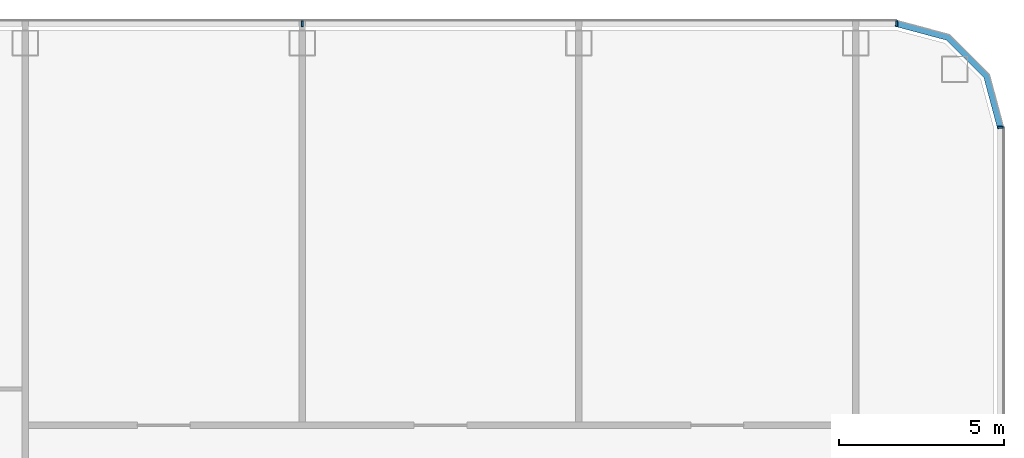
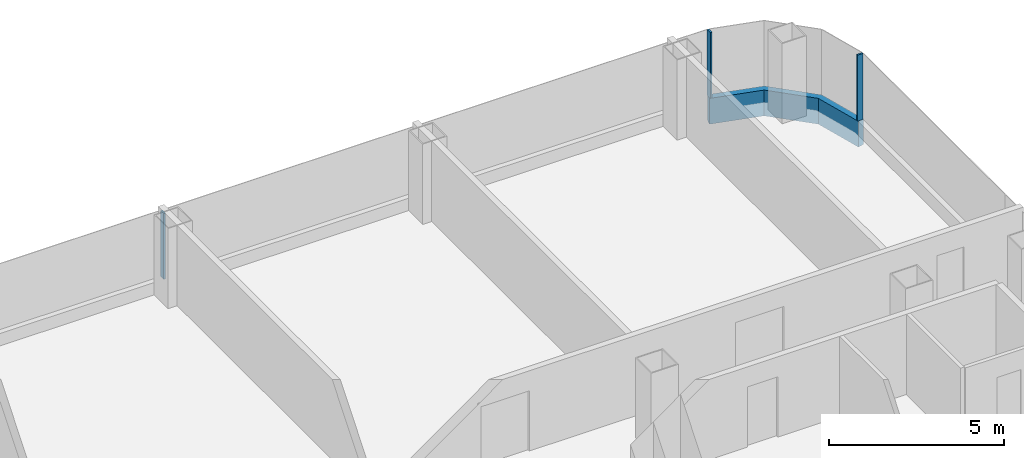
# One storey, part 13 of 29: 4 members, 3 elements without a shape of their own.
"""IFC4 building model written with IfcOpenShell, lengths in metres."""

import ifcopenshell
import ifcopenshell.guid

model = None  # the IFC model being written
_history = None  # IfcOwnerHistory: only IFC2X3 demands one
_inside = {}  # id of a spatial element -> (the spatial element, [elements in it])
_under = {}  # id of a project, library or spatial element -> (it, [spatial elements below it])
_declared = {}  # id of a project -> (the project, [libraries it declares])
_typed = {}  # id of a type object -> (the type object, [elements of that type])
_made_of = {}  # id of a material, layer set ... -> (it, [elements and type objects made of it])


def new_model(schema):
    """Start an empty IFC model of exactly this schema.

    Asked for "IFC4X3", IfcOpenShell would pick the latest addendum, in which some entities
    have other attributes; the version numbers below select the first issue.
    IFC2X3 requires an IfcOwnerHistory on every rooted entity: one is made here for all.
    """
    global model, _history
    if schema == "IFC4X3":
        model = ifcopenshell.file(schema_version=(4, 3, 0, 0))
    else:
        model = ifcopenshell.file(schema=schema)
    _inside.clear()
    _under.clear()
    _declared.clear()
    _typed.clear()
    _made_of.clear()
    _history = None
    if model.schema == "IFC2X3":
        org = make("IfcOrganization", Name="unknown")
        user = make(
            "IfcPersonAndOrganization",
            ThePerson=make("IfcPerson", FamilyName="unknown"),
            TheOrganization=org,
        )
        app = make(
            "IfcApplication",
            ApplicationDeveloper=org,
            Version="unknown",
            ApplicationFullName="unknown",
            ApplicationIdentifier="unknown",
        )
        _history = make(
            "IfcOwnerHistory",
            OwningUser=user,
            OwningApplication=app,
            ChangeAction="ADDED",
            CreationDate=0,
        )
    return model


def make(cls, **values):
    """One entity of the class cls with the attributes given. An attribute that is None is left unset."""
    return model.create_entity(
        cls, **{name: value for name, value in values.items() if value is not None}
    )


def rooted(cls, **values):
    """An entity with a GlobalId (a new one), such as an element, a storey or a relation."""
    return make(cls, GlobalId=ifcopenshell.guid.new(), OwnerHistory=_history, **values)


def si_unit(unit_type, name, prefix=None):
    """IfcSIUnit, for example si_unit("LENGTHUNIT", "METRE", prefix="MILLI")."""
    return make("IfcSIUnit", UnitType=unit_type, Prefix=prefix, Name=name)


def assignment(units):
    """IfcUnitAssignment: the units of a project."""
    return None if units is None else make("IfcUnitAssignment", Units=units)


def point(xyz):
    """IfcCartesianPoint."""
    return None if xyz is None else make("IfcCartesianPoint", Coordinates=xyz)


def direction(xyz):
    """IfcDirection."""
    return None if xyz is None else make("IfcDirection", DirectionRatios=xyz)


def frame(location, z_axis=None, x_axis=None):
    """IfcAxis2Placement3D, a coordinate frame: its origin and axes. An axis left out is left unset."""
    return make(
        "IfcAxis2Placement3D",
        Location=point(location),
        Axis=direction(z_axis),
        RefDirection=direction(x_axis),
    )


def frame_2d(location, x_axis=None):
    """IfcAxis2Placement2D, a coordinate frame in the plane: its origin and x axis."""
    return make(
        "IfcAxis2Placement2D", Location=point(location), RefDirection=direction(x_axis)
    )


def origin():
    """The frame at (0, 0, 0) with its axes left unset."""
    return frame((0.0, 0.0, 0.0))


def origin_2d():
    """The frame at (0, 0) in the plane with its x axis left unset."""
    return frame_2d((0.0, 0.0))


def place(relative_to, where):
    """IfcLocalPlacement: puts the frame where relative to a parent placement (None: the world)."""
    return make(
        "IfcLocalPlacement", PlacementRelTo=relative_to, RelativePlacement=where
    )


def context(
    kind, dimensions, precision=None, world=None, true_north=None, identifier=None
):
    """IfcGeometricRepresentationContext, for example the 3D "Model" context."""
    return make(
        "IfcGeometricRepresentationContext",
        ContextIdentifier=identifier,
        ContextType=kind,
        CoordinateSpaceDimension=dimensions,
        Precision=precision,
        WorldCoordinateSystem=world,
        TrueNorth=true_north,
    )


def subcontext(parent, identifier, kind, view, scale=None):
    """IfcGeometricRepresentationSubContext, for example "Body" below "Model"."""
    return make(
        "IfcGeometricRepresentationSubContext",
        ContextIdentifier=identifier,
        ContextType=kind,
        ParentContext=parent,
        TargetScale=scale,
        TargetView=view,
    )


def project(units=None, contexts=None):
    """IfcProject with its units and contexts."""
    return rooted(
        "IfcProject",
        Name="project",
        RepresentationContexts=contexts,
        UnitsInContext=assignment(units),
    )


def spatial(cls, under=None, at=None, **own):
    """A site, building, storey or space (cls), placed at a placement, below another one or the project."""
    s = rooted(cls, ObjectPlacement=at, **own)
    if under is not None:
        _under.setdefault(under.id(), (under, []))[1].append(s)
    return s


def polyline(points):
    """IfcPolyline through the points."""
    return make("IfcPolyline", Points=[point(p) for p in points])


def profile(cls, at=None, kind="AREA", **sizes):
    """A parametric profile (cls). Its sizes go by their IFC names, for example OverallWidth=200.0."""
    return make(cls, ProfileType=kind, Position=at, **sizes)


def rectangle(**sizes):
    """IfcRectangleProfileDef."""
    return profile("IfcRectangleProfileDef", **sizes)


def outline(outer, holes=None, kind="AREA"):
    """IfcArbitraryClosedProfileDef: a profile drawn as a closed curve; with holes, ...WithVoids."""
    if holes is None:
        return make("IfcArbitraryClosedProfileDef", ProfileType=kind, OuterCurve=outer)
    return make(
        "IfcArbitraryProfileDefWithVoids",
        ProfileType=kind,
        OuterCurve=outer,
        InnerCurves=holes,
    )


def extrude(swept, where, along, depth):
    """IfcExtrudedAreaSolid: the profile swept, set in the frame where, extruded along a direction by depth."""
    return make(
        "IfcExtrudedAreaSolid",
        SweptArea=swept,
        Position=where,
        ExtrudedDirection=direction(along),
        Depth=depth,
    )


def shape(context_of_items, identifier, shape_type, items):
    """IfcShapeRepresentation: the items that make up one representation, for example the "Body"."""
    return make(
        "IfcShapeRepresentation",
        ContextOfItems=context_of_items,
        RepresentationIdentifier=identifier,
        RepresentationType=shape_type,
        Items=items,
    )


def material(Name=None, Category=None):
    """IfcMaterial."""
    return make("IfcMaterial", Name=Name, Category=Category)


def layer(
    of_material, thickness, ventilated=None, Name=None, Category=None, Priority=None
):
    """IfcMaterialLayer: one layer of a wall or slab, of a material (None: an air gap)."""
    return make(
        "IfcMaterialLayer",
        Material=of_material,
        LayerThickness=thickness,
        IsVentilated=ventilated,
        Name=Name,
        Category=Category,
        Priority=Priority,
    )


def layer_set(layers, Name=None):
    """IfcMaterialLayerSet."""
    return make("IfcMaterialLayerSet", MaterialLayers=layers, LayerSetName=Name)


def material_profile(
    of_material, cross_section, Name=None, Category=None, Priority=None
):
    """IfcMaterialProfile: a cross section and its material."""
    return make(
        "IfcMaterialProfile",
        Name=Name,
        Material=of_material,
        Profile=cross_section,
        Priority=Priority,
        Category=Category,
    )


def profile_set(profiles, Name=None, composite=None):
    """IfcMaterialProfileSet."""
    return make(
        "IfcMaterialProfileSet",
        Name=Name,
        MaterialProfiles=profiles,
        CompositeProfile=composite,
    )


def made_of(thing, what):
    """Note that an element or type object is made of a material, layer set ...; save() writes the relation."""
    if what is not None:
        _made_of.setdefault(what.id(), (what, []))[1].append(thing)
    return thing


def type_object(cls, material=None, **own):
    """A type object (cls), such as IfcWallType, which elements share."""
    return made_of(rooted(cls, **own), material)


def element(
    cls,
    number,
    at=None,
    inside=None,
    cuts=None,
    type_object=None,
    material=None,
    context=None,
    identifier="Body",
    shape_type=None,
    held_by="IfcProductDefinitionShape",
    body=None,
    shapes=None,
    **own,
):
    """One element of the class cls, such as IfcWall. Its Tag is "e" and its number.

    at: its placement. inside: the storey or other place that contains it. cuts: it is an
    opening in that element (IfcRelVoidsElement). A single representation is given by context,
    identifier, shape_type and body (its items); several are given by shapes. held_by: the class
    of the entity that holds the representations. save() writes the other relations.
    """
    e = rooted(cls, Tag="e%d" % number, ObjectPlacement=at, **own)
    if body is not None:
        shapes = [shape(context, identifier, shape_type, body)]
    if shapes is not None:
        e.Representation = make(held_by, Representations=shapes)
    if inside is not None:
        _inside.setdefault(inside.id(), (inside, []))[1].append(e)
    if cuts is not None:
        rooted(
            "IfcRelVoidsElement", RelatingBuildingElement=cuts, RelatedOpeningElement=e
        )
    if type_object is not None:
        _typed.setdefault(type_object.id(), (type_object, []))[1].append(e)
    return made_of(e, material)


def aggregate(whole, parts):
    """IfcRelAggregates: a whole, such as a stair, and the parts it consists of."""
    return rooted("IfcRelAggregates", RelatingObject=whole, RelatedObjects=parts)


def save(model, path):
    """Write the relations noted so far, then the file.

    IfcRelAggregates (storeys below a building ...), IfcRelContainedInSpatialStructure (elements
    in a storey), IfcRelDefinesByType, IfcRelAssociatesMaterial and IfcRelDeclares: one each for
    every whole, place, type object, material and project.
    """
    for whole, parts in _under.values():
        aggregate(whole, parts)
    for where, things in _inside.values():
        rooted(
            "IfcRelContainedInSpatialStructure",
            RelatedElements=things,
            RelatingStructure=where,
        )
    for kind, things in _typed.values():
        rooted("IfcRelDefinesByType", RelatedObjects=things, RelatingType=kind)
    for what, things in _made_of.values():
        rooted("IfcRelAssociatesMaterial", RelatedObjects=things, RelatingMaterial=what)
    for by, libraries in _declared.values():
        rooted("IfcRelDeclares", RelatingContext=by, RelatedDefinitions=libraries)
    model.write(path)


model = new_model("IFC4")

# Units and contexts
model_context = context("Model", 3, precision=1e-05, world=origin(), true_north=direction((0.0, 1.0)))
body_context = subcontext(model_context, "Body", "Model", "MODEL_VIEW")
ifc_project = project(units=[si_unit("LENGTHUNIT", "METRE"), si_unit("AREAUNIT", "SQUARE_METRE"), si_unit("VOLUMEUNIT", "CUBIC_METRE"), si_unit("PLANEANGLEUNIT", "RADIAN"), si_unit("MASSUNIT", "GRAM", prefix="KILO")], contexts=[model_context])

# Site, building, storey
site_placement = place(None, origin())
site = spatial("IfcSite", under=ifc_project, at=site_placement, CompositionType="ELEMENT")
building_placement = place(site_placement, origin())
building = spatial("IfcBuilding", under=site, at=building_placement, Name="Hakoniwa Tower and Hamabe Station Hall", CompositionType="ELEMENT")
storey_placement = place(building_placement, frame((0.0, 0.0, 110.60009765625)))
storey = spatial("IfcBuildingStorey", under=building, at=storey_placement, Name="L31", CompositionType="ELEMENT", Elevation=110.60009765625)

# Curtain wall, member
ifc_material_1 = material(Name="Dark low-e laminated glass", Category="glass")
ifc_layer = layer(ifc_material_1, 0.199951171875)
ifc_layer_set = layer_set([ifc_layer], Name="CW-1 UNITISED GUEST")
curtain_wall_type = type_object("IfcCurtainWallType", Name="CW-1 UNITISED GUEST", PredefinedType="NOTDEFINED", material=ifc_layer_set)
curtain_wall_1_placement = place(storey_placement, origin())
curtain_wall_1 = element("IfcCurtainWall", 1, at=curtain_wall_1_placement, inside=storey, type_object=curtain_wall_type, Name="CW-1 curtain wall", PredefinedType="NOTDEFINED")
ifc_material_2 = material(Name="Aluminium 6063-T5 black anodised", Category="aluminium")
ifc_material_profile_1 = material_profile(ifc_material_2, rectangle(XDim=0.199951171875, YDim=0.89990234375, at=origin_2d()), Name="CW SLAB-EDGE BAND 900X200")
ifc_profile_set_1 = profile_set([ifc_material_profile_1], Name="Aluminium 6063-T5 black anodised")
member_type_1 = type_object("IfcMemberType", Name="CW SLAB-EDGE BAND 900X200", PredefinedType="USERDEFINED", material=ifc_profile_set_1)
member_1_placement = place(storey_placement, frame((0.0, 0.0, -0.550048828125)))
member_1 = element("IfcMember", 2, at=member_1_placement, type_object=member_type_1, Name="CW-1 transom", ObjectType="TRANSOM", PredefinedType="USERDEFINED", context=body_context, shape_type="SweptSolid", body=[
    extrude(outline(polyline([(46.5, 20.28955078125), (46.067138671875, 21.9052734375), (44.855224609375, 23.116943359375), (43.239501953125, 23.550048828125), (43.187744140625, 23.35693359375), (44.751708984375, 22.937744140625), (45.8876953125, 21.8017578125), (46.306884765625, 20.23779296875), (46.5, 20.28955078125)])), origin(), (0.0, 0.0, 1.0), 0.89990234375),
])
aggregate(curtain_wall_1, [member_1])

curtain_wall_2_placement = place(storey_placement, origin())
curtain_wall_2 = element("IfcCurtainWall", 3, at=curtain_wall_2_placement, inside=storey, type_object=curtain_wall_type, Name="CW-1 curtain wall", PredefinedType="NOTDEFINED")
ifc_material_3 = material(Name="Aluminium 6063-T5 black anodised", Category="aluminium")
ifc_material_profile_2 = material_profile(ifc_material_3, rectangle(XDim=0.06005859375, YDim=0.179931640625, at=origin_2d()), Name="CW-1 MULLION 60X180")
ifc_profile_set_2 = profile_set([ifc_material_profile_2], Name="Aluminium 6063-T5 black anodised")
member_type_2 = type_object("IfcMemberType", Name="CW-1 MULLION 60X180", PredefinedType="MULLION", material=ifc_profile_set_2)
member_2_placement = place(storey_placement, frame((46.382080078125, 20.28955078125, 0.349853515625), z_axis=(0.0, 0.0, 1.0), x_axis=(0.0, 1.0, 0.0)))
member_2 = element("IfcMember", 4, at=member_2_placement, type_object=member_type_2, Name="CW-1 mullion", PredefinedType="MULLION", context=body_context, shape_type="SweptSolid", body=[
    extrude(rectangle(XDim=0.06005859375, YDim=0.179931640625, at=origin_2d()), origin(), (0.0, 0.0, 1.0), 2.300048828125),
])
aggregate(curtain_wall_2, [member_2])

# Curtain wall, members
curtain_wall_3_placement = place(storey_placement, origin())
curtain_wall_3 = element("IfcCurtainWall", 5, at=curtain_wall_3_placement, inside=storey, type_object=curtain_wall_type, Name="CW-1 curtain wall", PredefinedType="NOTDEFINED")
member_3_placement = place(storey_placement, frame((43.239501953125, 23.431884765625, 0.349853515625), z_axis=(0.0, 0.0, 1.0), x_axis=(-1.0, 0.0, 0.0)))
member_3 = element("IfcMember", 6, at=member_3_placement, type_object=member_type_2, Name="CW-1 mullion", PredefinedType="MULLION", context=body_context, shape_type="SweptSolid", body=[
    extrude(rectangle(XDim=0.06005859375, YDim=0.179931640625, at=origin_2d()), origin(), (0.0, 0.0, 1.0), 2.300048828125),
])
member_4_placement = place(storey_placement, frame((25.199951171875, 23.431884765625, 0.349853515625), z_axis=(0.0, 0.0, 1.0), x_axis=(-1.0, 0.0, 0.0)))
member_4 = element("IfcMember", 7, at=member_4_placement, type_object=member_type_2, Name="CW-1 mullion", PredefinedType="MULLION", context=body_context, shape_type="SweptSolid", body=[
    extrude(rectangle(XDim=0.06005859375, YDim=0.179931640625, at=origin_2d()), origin(), (0.0, 0.0, 1.0), 2.300048828125),
])
aggregate(curtain_wall_3, [member_3, member_4])

save(model, "model.ifc")
